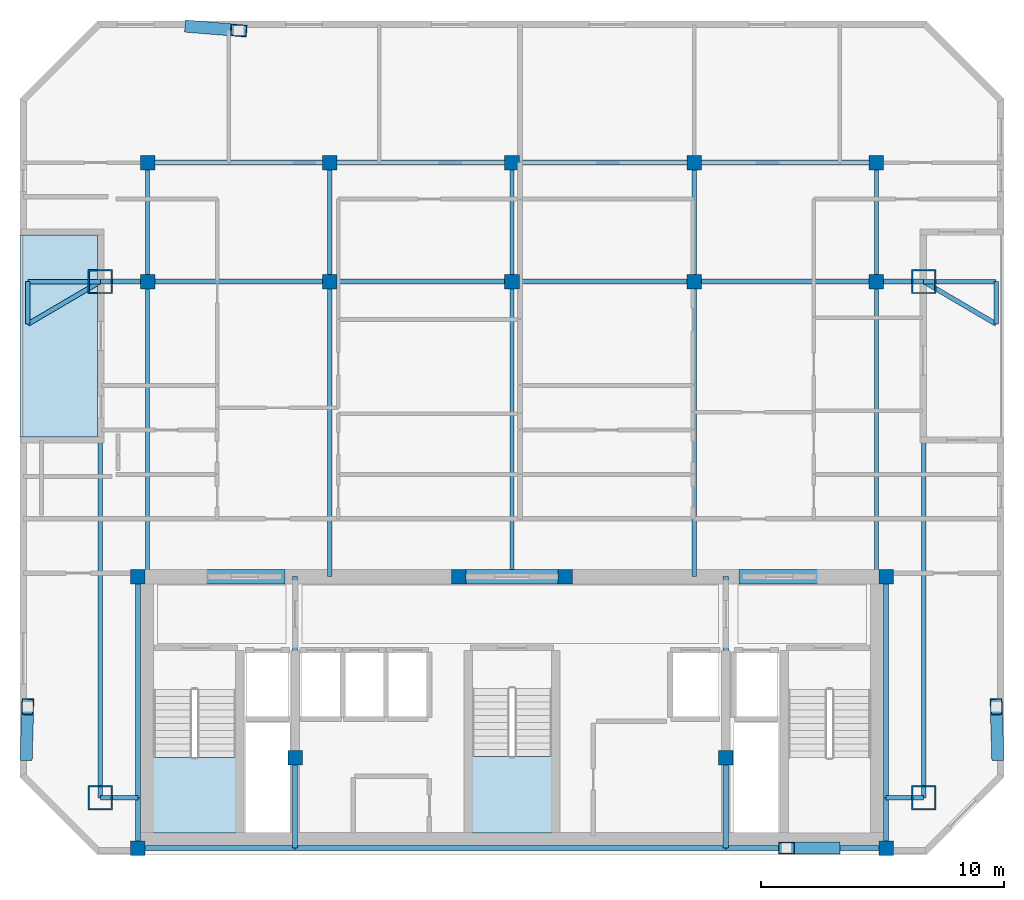
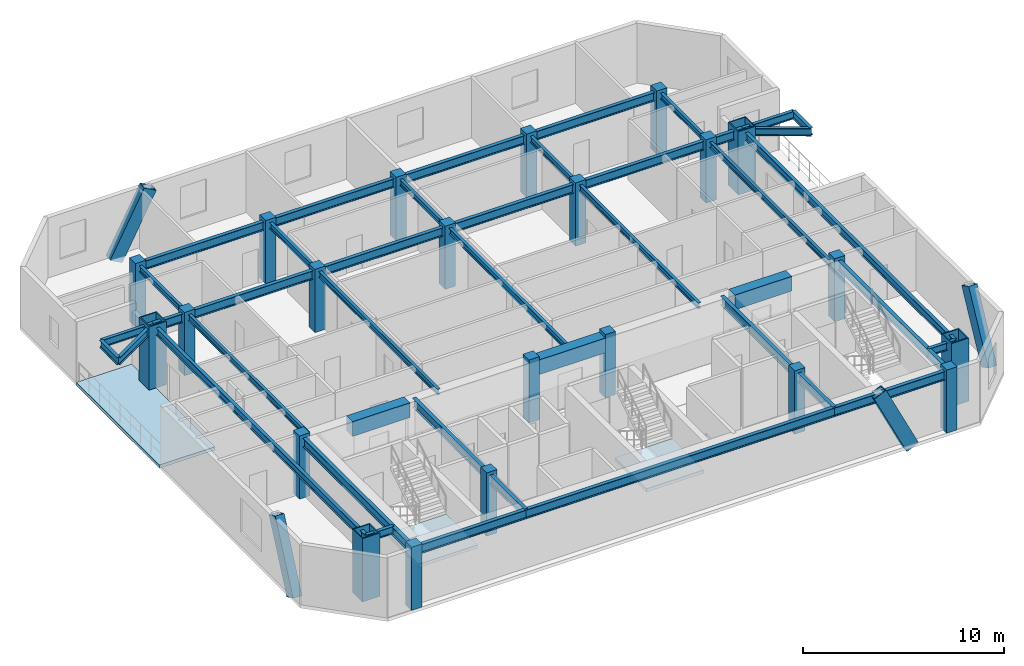
# One storey, part 1 of 7: 44 beams, 22 columns, 4 members, 3 slabs, 2 elements without a shape of their own.
"""IFC4 building model written with IfcOpenShell, lengths in metres."""

from ifc_helpers import new_model, si_unit, direction, frame, origin, origin_2d, place, context, subcontext, project, spatial, polyline, rectangle, hollow_rectangle, i_section, outline, extrude, material, layer, layer_set, material_profile, profile_set, type_object, element, aggregate, save


model = new_model("IFC4")

# Units and contexts
model_context = context("Model", 3, precision=1e-05, world=origin(), true_north=direction((0.0, 1.0)))
body_context = subcontext(model_context, "Body", "Model", "MODEL_VIEW")
ifc_project = project(units=[si_unit("LENGTHUNIT", "METRE"), si_unit("AREAUNIT", "SQUARE_METRE"), si_unit("VOLUMEUNIT", "CUBIC_METRE"), si_unit("PLANEANGLEUNIT", "RADIAN"), si_unit("MASSUNIT", "GRAM", prefix="KILO")], contexts=[model_context])

# Site, building, storey
site_placement = place(None, origin())
site = spatial("IfcSite", under=ifc_project, at=site_placement, CompositionType="ELEMENT")
building_placement = place(site_placement, origin())
building = spatial("IfcBuilding", under=site, at=building_placement, Name="Ventersveld Concourse Tower", CompositionType="ELEMENT")
storey_placement = place(building_placement, frame((0.0, 0.0, 288.75)))
storey = spatial("IfcBuildingStorey", under=building, at=storey_placement, Name="L71", CompositionType="ELEMENT", Elevation=288.75)

# Columns
ifc_material_1 = material(Name="Concrete C50/60", Category="concrete")
ifc_material_profile_1 = material_profile(ifc_material_1, rectangle(XDim=0.60009765625, YDim=0.60009765625, at=origin_2d()), Name="RC 600x600")
ifc_profile_set_1 = profile_set([ifc_material_profile_1], Name="Concrete C50/60")
column_type_1 = type_object("IfcColumnType", Name="COL-RC600", PredefinedType="COLUMN", material=ifc_profile_set_1)
for number, where, z_axis, x_axis, name in (
    (1, (13.35009765625, 0.280029296875, 0.0), (0.0, 0.0, 1.0), (1.0, 0.0, 0.0), "L71 Core Spine Column CC-SW"),
    (2, (44.14990234375, 0.280029296875, 0.0), (0.0, 0.0, 1.0), (1.0, 0.0, 0.0), "L71 Core Spine Column CC-SE"),
    (3, (13.35009765625, 11.449951171875, 0.0), (0.0, 0.0, 1.0), (1.0, 0.0, 0.0), "L71 Core Spine Column CC-NW"),
    (4, (44.14990234375, 11.449951171875, 0.0), (0.0, 0.0, 1.0), (1.0, 0.0, 0.0), "L71 Core Spine Column CC-NE"),
    (5, (19.820068359375, 4.0, 0.0), (0.0, 0.0, 1.0), (1.0, 0.0, 0.0), "L71 Core Spine Column CM-1"),
    (6, (37.550048828125, 4.0, 0.0), (0.0, 0.0, 1.0), (1.0, 0.0, 0.0), "L71 Core Spine Column CM-2"),
    (7, (26.550048828125, 11.449951171875, 0.0), (0.0, 0.0, 1.0), (1.0, 0.0, 0.0), "L71 Core Spine Column CM-3"),
    (8, (30.949951171875, 11.449951171875, 0.0), (0.0, 0.0, 1.0), (1.0, 0.0, 0.0), "L71 Core Spine Column CM-4"),
    (9, (13.75, 23.60009765625, 0.0), (0.0, 0.0, 1.0), (1.0, 0.0, 0.0), "L71 Interior Gravity Column X=13.75 Y=23.60"),
    (10, (21.25, 23.60009765625, 0.0), (0.0, 0.0, 1.0), (1.0, 0.0, 0.0), "L71 Interior Gravity Column X=21.25 Y=23.60"),
    (11, (28.75, 23.60009765625, 0.0), (0.0, 0.0, 1.0), (1.0, 0.0, 0.0), "L71 Interior Gravity Column X=28.75 Y=23.60"),
    (12, (36.25, 23.60009765625, 0.0), (0.0, 0.0, 1.0), (1.0, 0.0, 0.0), "L71 Interior Gravity Column X=36.25 Y=23.60"),
    (13, (43.75, 23.60009765625, 0.0), (0.0, 0.0, 1.0), (1.0, 0.0, 0.0), "L71 Interior Gravity Column X=43.75 Y=23.60"),
    (14, (13.75, 28.5, 0.0), (0.0, 0.0, 1.0), (1.0, 0.0, 0.0), "L71 Upper-North Gravity Column X=13.75 Y=28.50"),
    (15, (21.25, 28.5, 0.0), (0.0, 0.0, 1.0), (1.0, 0.0, 0.0), "L71 Upper-North Gravity Column X=21.25 Y=28.50"),
    (16, (28.75, 28.5, 0.0), (0.0, 0.0, 1.0), (1.0, 0.0, 0.0), "L71 Upper-North Gravity Column X=28.75 Y=28.50"),
    (17, (36.25, 28.5, 0.0), (0.0, 0.0, 1.0), (1.0, 0.0, 0.0), "L71 Upper-North Gravity Column X=36.25 Y=28.50"),
    (18, (43.75, 28.5, 0.0), (0.0, 0.0, 1.0), (1.0, 0.0, 0.0), "L71 Upper-North Gravity Column X=43.75 Y=28.50"),
):
    element("IfcColumn", number, at=place(storey_placement, frame(where, z_axis=z_axis, x_axis=x_axis)), inside=storey, type_object=column_type_1, Name=name, PredefinedType="COLUMN", context=body_context, shape_type="SweptSolid", body=[
        extrude(rectangle(XDim=0.60009765625, YDim=0.60009765625, at=origin_2d()), origin(), (0.0, 0.0, 1.0), 3.85009765625),
    ])
ifc_material_2 = material(Name="Structural steel S460ML", Category="steel")
ifc_material_profile_2 = material_profile(ifc_material_2, hollow_rectangle(XDim=1.0, YDim=1.0, WallThickness=0.06005859375, at=origin_2d()), Name="BOX 1000x1000x60")
ifc_profile_set_2 = profile_set([ifc_material_profile_2], Name="Structural steel S460ML")
column_type_2 = type_object("IfcColumnType", Name="MC-1000", PredefinedType="USERDEFINED", material=ifc_profile_set_2)
for number, where, z_axis, x_axis, name in (
    (19, (11.800048828125, 2.35009765625, 0.0), (0.0, 0.0, 1.0), (1.0, 0.0, 0.0), "L71 Corner Mega-Column MC-SW"),
    (20, (45.699951171875, 2.35009765625, 0.0), (0.0, 0.0, 1.0), (1.0, 0.0, 0.0), "L71 Corner Mega-Column MC-SE"),
    (21, (45.699951171875, 23.60009765625, 0.0), (0.0, 0.0, 1.0), (1.0, 0.0, 0.0), "L71 Corner Mega-Column MC-NE"),
    (22, (11.800048828125, 23.60009765625, 0.0), (0.0, 0.0, 1.0), (1.0, 0.0, 0.0), "L71 Corner Mega-Column MC-NW"),
):
    element("IfcColumn", number, at=place(storey_placement, frame(where, z_axis=z_axis, x_axis=x_axis)), inside=storey, type_object=column_type_2, Name=name, ObjectType="MEGA_COLUMN", PredefinedType="USERDEFINED", context=body_context, shape_type="SweptSolid", body=[
        extrude(hollow_rectangle(XDim=1.0, YDim=1.0, WallThickness=0.06005859375, at=origin_2d()), origin(), (0.0, 0.0, 1.0), 3.85009765625),
    ])

# Beams
ifc_material_3 = material(Name="Structural steel S355J2", Category="steel")
ifc_material_profile_3 = material_profile(ifc_material_3, i_section(OverallWidth=0.17138671875, OverallDepth=0.35498046875, WebThickness=0.00732421875, FlangeThickness=0.011474609375, FilletRadius=0.01025390625, at=origin_2d()), Name="UB 356x171x51")
ifc_profile_set_3 = profile_set([ifc_material_profile_3], Name="Structural steel S355J2")
beam_type_1 = type_object("IfcBeamType", Name="BM-UB356", PredefinedType="BEAM", material=ifc_profile_set_3)
beam_1_placement = place(storey_placement, frame((13.75, 11.449951171875, 3.472412109375), z_axis=(0.0, 1.0, 0.0), x_axis=(-1.0, 0.0, 0.0)))
element("IfcBeam", 23, at=beam_1_placement, inside=storey, type_object=beam_type_1, Name="L71 N-S Composite Floor Beam South X=13.75", PredefinedType="BEAM", context=body_context, shape_type="SweptSolid", body=[
    extrude(i_section(OverallWidth=0.17138671875, OverallDepth=0.35498046875, WebThickness=0.00732421875, FlangeThickness=0.011474609375, FilletRadius=0.01025390625, at=origin_2d()), origin(), (0.0, 0.0, 1.0), 12.150146484375),
])
beam_2_placement = place(storey_placement, frame((13.75, 23.60009765625, 3.472412109375), z_axis=(0.0, 1.0, 0.0), x_axis=(-1.0, 0.0, 0.0)))
element("IfcBeam", 24, at=beam_2_placement, inside=storey, type_object=beam_type_1, Name="L71 N-S Upper-Zone Floor Beam X=13.75", PredefinedType="BEAM", context=body_context, shape_type="SweptSolid", body=[
    extrude(i_section(OverallWidth=0.17138671875, OverallDepth=0.35498046875, WebThickness=0.00732421875, FlangeThickness=0.011474609375, FilletRadius=0.01025390625, at=origin_2d()), origin(), (0.0, 0.0, 1.0), 4.89990234375),
])
beam_3_placement = place(storey_placement, frame((21.25, 11.449951171875, 3.472412109375), z_axis=(0.0, 1.0, 0.0), x_axis=(-1.0, 0.0, 0.0)))
element("IfcBeam", 25, at=beam_3_placement, inside=storey, type_object=beam_type_1, Name="L71 N-S Composite Floor Beam South X=21.25", PredefinedType="BEAM", context=body_context, shape_type="SweptSolid", body=[
    extrude(i_section(OverallWidth=0.17138671875, OverallDepth=0.35498046875, WebThickness=0.00732421875, FlangeThickness=0.011474609375, FilletRadius=0.01025390625, at=origin_2d()), origin(), (0.0, 0.0, 1.0), 12.150146484375),
])
beam_4_placement = place(storey_placement, frame((21.25, 23.60009765625, 3.472412109375), z_axis=(0.0, 1.0, 0.0), x_axis=(-1.0, 0.0, 0.0)))
element("IfcBeam", 26, at=beam_4_placement, inside=storey, type_object=beam_type_1, Name="L71 N-S Upper-Zone Floor Beam X=21.25", PredefinedType="BEAM", context=body_context, shape_type="SweptSolid", body=[
    extrude(i_section(OverallWidth=0.17138671875, OverallDepth=0.35498046875, WebThickness=0.00732421875, FlangeThickness=0.011474609375, FilletRadius=0.01025390625, at=origin_2d()), origin(), (0.0, 0.0, 1.0), 4.89990234375),
])
beam_5_placement = place(storey_placement, frame((28.75, 11.449951171875, 3.472412109375), z_axis=(0.0, 1.0, 0.0), x_axis=(-1.0, 0.0, 0.0)))
element("IfcBeam", 27, at=beam_5_placement, inside=storey, type_object=beam_type_1, Name="L71 N-S Composite Floor Beam South X=28.75", PredefinedType="BEAM", context=body_context, shape_type="SweptSolid", body=[
    extrude(i_section(OverallWidth=0.17138671875, OverallDepth=0.35498046875, WebThickness=0.00732421875, FlangeThickness=0.011474609375, FilletRadius=0.01025390625, at=origin_2d()), origin(), (0.0, 0.0, 1.0), 12.150146484375),
])
beam_6_placement = place(storey_placement, frame((28.75, 23.60009765625, 3.472412109375), z_axis=(0.0, 1.0, 0.0), x_axis=(-1.0, 0.0, 0.0)))
element("IfcBeam", 28, at=beam_6_placement, inside=storey, type_object=beam_type_1, Name="L71 N-S Upper-Zone Floor Beam X=28.75", PredefinedType="BEAM", context=body_context, shape_type="SweptSolid", body=[
    extrude(i_section(OverallWidth=0.17138671875, OverallDepth=0.35498046875, WebThickness=0.00732421875, FlangeThickness=0.011474609375, FilletRadius=0.01025390625, at=origin_2d()), origin(), (0.0, 0.0, 1.0), 4.89990234375),
])
beam_7_placement = place(storey_placement, frame((36.25, 11.449951171875, 3.472412109375), z_axis=(0.0, 1.0, 0.0), x_axis=(-1.0, 0.0, 0.0)))
element("IfcBeam", 29, at=beam_7_placement, inside=storey, type_object=beam_type_1, Name="L71 N-S Composite Floor Beam South X=36.25", PredefinedType="BEAM", context=body_context, shape_type="SweptSolid", body=[
    extrude(i_section(OverallWidth=0.17138671875, OverallDepth=0.35498046875, WebThickness=0.00732421875, FlangeThickness=0.011474609375, FilletRadius=0.01025390625, at=origin_2d()), origin(), (0.0, 0.0, 1.0), 12.150146484375),
])
beam_8_placement = place(storey_placement, frame((36.25, 23.60009765625, 3.472412109375), z_axis=(0.0, 1.0, 0.0), x_axis=(-1.0, 0.0, 0.0)))
element("IfcBeam", 30, at=beam_8_placement, inside=storey, type_object=beam_type_1, Name="L71 N-S Upper-Zone Floor Beam X=36.25", PredefinedType="BEAM", context=body_context, shape_type="SweptSolid", body=[
    extrude(i_section(OverallWidth=0.17138671875, OverallDepth=0.35498046875, WebThickness=0.00732421875, FlangeThickness=0.011474609375, FilletRadius=0.01025390625, at=origin_2d()), origin(), (0.0, 0.0, 1.0), 4.89990234375),
])
beam_9_placement = place(storey_placement, frame((43.75, 11.449951171875, 3.472412109375), z_axis=(0.0, 1.0, 0.0), x_axis=(-1.0, 0.0, 0.0)))
element("IfcBeam", 31, at=beam_9_placement, inside=storey, type_object=beam_type_1, Name="L71 N-S Composite Floor Beam South X=43.75", PredefinedType="BEAM", context=body_context, shape_type="SweptSolid", body=[
    extrude(i_section(OverallWidth=0.17138671875, OverallDepth=0.35498046875, WebThickness=0.00732421875, FlangeThickness=0.011474609375, FilletRadius=0.01025390625, at=origin_2d()), origin(), (0.0, 0.0, 1.0), 12.150146484375),
])
beam_10_placement = place(storey_placement, frame((43.75, 23.60009765625, 3.472412109375), z_axis=(0.0, 1.0, 0.0), x_axis=(-1.0, 0.0, 0.0)))
element("IfcBeam", 32, at=beam_10_placement, inside=storey, type_object=beam_type_1, Name="L71 N-S Upper-Zone Floor Beam X=43.75", PredefinedType="BEAM", context=body_context, shape_type="SweptSolid", body=[
    extrude(i_section(OverallWidth=0.17138671875, OverallDepth=0.35498046875, WebThickness=0.00732421875, FlangeThickness=0.011474609375, FilletRadius=0.01025390625, at=origin_2d()), origin(), (0.0, 0.0, 1.0), 4.89990234375),
])
ifc_material_profile_4 = material_profile(ifc_material_1, rectangle(XDim=0.60009765625, YDim=0.89990234375, at=origin_2d()), Name="RC 600x900")
ifc_profile_set_4 = profile_set([ifc_material_profile_4], Name="Concrete C50/60")
beam_type_2 = type_object("IfcBeamType", Name="CB-RC600x900U", PredefinedType="LINTEL", material=ifc_profile_set_4)
beam_11_placement = place(storey_placement, frame((16.10009765625, 11.449951171875, 3.199951171875), z_axis=(1.0, 0.0, 0.0), x_axis=(0.0, 1.0, 0.0)))
element("IfcBeam", 33, at=beam_11_placement, inside=storey, type_object=beam_type_2, Name="L71 Core Coupling Lintel Beam 1", PredefinedType="LINTEL", context=body_context, shape_type="SweptSolid", body=[
    extrude(rectangle(XDim=0.60009765625, YDim=0.89990234375, at=origin_2d()), origin(), (0.0, 0.0, 1.0), 3.2998046875),
])
beam_12_placement = place(storey_placement, frame((26.5, 11.449951171875, 3.199951171875), z_axis=(1.0, 0.0, 0.0), x_axis=(0.0, 1.0, 0.0)))
element("IfcBeam", 34, at=beam_12_placement, inside=storey, type_object=beam_type_2, Name="L71 Core Coupling Lintel Beam 2", PredefinedType="LINTEL", context=body_context, shape_type="SweptSolid", body=[
    extrude(rectangle(XDim=0.60009765625, YDim=0.89990234375, at=origin_2d()), origin(), (0.0, 0.0, 1.0), 4.5),
])
beam_13_placement = place(storey_placement, frame((38.10009765625, 11.449951171875, 3.199951171875), z_axis=(1.0, 0.0, 0.0), x_axis=(0.0, 1.0, 0.0)))
element("IfcBeam", 35, at=beam_13_placement, inside=storey, type_object=beam_type_2, Name="L71 Core Coupling Lintel Beam 3", PredefinedType="LINTEL", context=body_context, shape_type="SweptSolid", body=[
    extrude(rectangle(XDim=0.60009765625, YDim=0.89990234375, at=origin_2d()), origin(), (0.0, 0.0, 1.0), 3.2998046875),
])
ifc_material_profile_5 = material_profile(ifc_material_3, i_section(OverallWidth=0.209228515625, OverallDepth=0.533203125, WebThickness=0.010009765625, FlangeThickness=0.015625, FilletRadius=0.0126953125, at=origin_2d()), Name="UB 533x210x92")
ifc_profile_set_5 = profile_set([ifc_material_profile_5], Name="Structural steel S355J2")
beam_type_3 = type_object("IfcBeamType", Name="GRD-UB533", PredefinedType="T_BEAM", material=ifc_profile_set_5)
beam_14_placement = place(storey_placement, frame((11.800048828125, 23.60009765625, 3.38330078125), z_axis=(1.0, 0.0, 0.0), x_axis=(0.0, 1.0, 0.0)))
element("IfcBeam", 36, at=beam_14_placement, inside=storey, type_object=beam_type_3, Name="L71 Primary E-W Grid Girder Y=23.60 #1", PredefinedType="T_BEAM", context=body_context, shape_type="SweptSolid", body=[
    extrude(i_section(OverallWidth=0.209228515625, OverallDepth=0.533203125, WebThickness=0.010009765625, FlangeThickness=0.015625, FilletRadius=0.0126953125, at=origin_2d()), origin(), (0.0, 0.0, 1.0), 1.949951171875),
])
for number, where, z_axis, x_axis, name in (
    (37, (13.75, 23.60009765625, 3.38330078125), (1.0, 0.0, 0.0), (0.0, 1.0, 0.0), "L71 Primary E-W Grid Girder Y=23.60 #2"),
    (38, (21.25, 23.60009765625, 3.38330078125), (1.0, 0.0, 0.0), (0.0, 1.0, 0.0), "L71 Primary E-W Grid Girder Y=23.60 #3"),
    (39, (28.75, 23.60009765625, 3.38330078125), (1.0, 0.0, 0.0), (0.0, 1.0, 0.0), "L71 Primary E-W Grid Girder Y=23.60 #4"),
    (40, (36.25, 23.60009765625, 3.38330078125), (1.0, 0.0, 0.0), (0.0, 1.0, 0.0), "L71 Primary E-W Grid Girder Y=23.60 #5"),
):
    element("IfcBeam", number, at=place(storey_placement, frame(where, z_axis=z_axis, x_axis=x_axis)), inside=storey, type_object=beam_type_3, Name=name, PredefinedType="T_BEAM", context=body_context, shape_type="SweptSolid", body=[
        extrude(i_section(OverallWidth=0.209228515625, OverallDepth=0.533203125, WebThickness=0.010009765625, FlangeThickness=0.015625, FilletRadius=0.0126953125, at=origin_2d()), origin(), (0.0, 0.0, 1.0), 7.5),
    ])
beam_15_placement = place(storey_placement, frame((43.75, 23.60009765625, 3.38330078125), z_axis=(1.0, 0.0, 0.0), x_axis=(0.0, 1.0, 0.0)))
element("IfcBeam", 41, at=beam_15_placement, inside=storey, type_object=beam_type_3, Name="L71 Primary E-W Grid Girder Y=23.60 #6", PredefinedType="T_BEAM", context=body_context, shape_type="SweptSolid", body=[
    extrude(i_section(OverallWidth=0.209228515625, OverallDepth=0.533203125, WebThickness=0.010009765625, FlangeThickness=0.015625, FilletRadius=0.0126953125, at=origin_2d()), origin(), (0.0, 0.0, 1.0), 1.949951171875),
])
for number, where, z_axis, x_axis, name in (
    (42, (13.75, 28.5, 3.38330078125), (1.0, 0.0, 0.0), (0.0, 1.0, 0.0), "L71 Upper-North E-W Girder Y=28.50 #1"),
    (43, (21.25, 28.5, 3.38330078125), (1.0, 0.0, 0.0), (0.0, 1.0, 0.0), "L71 Upper-North E-W Girder Y=28.50 #2"),
    (44, (28.75, 28.5, 3.38330078125), (1.0, 0.0, 0.0), (0.0, 1.0, 0.0), "L71 Upper-North E-W Girder Y=28.50 #3"),
    (45, (36.25, 28.5, 3.38330078125), (1.0, 0.0, 0.0), (0.0, 1.0, 0.0), "L71 Upper-North E-W Girder Y=28.50 #4"),
):
    element("IfcBeam", number, at=place(storey_placement, frame(where, z_axis=z_axis, x_axis=x_axis)), inside=storey, type_object=beam_type_3, Name=name, PredefinedType="T_BEAM", context=body_context, shape_type="SweptSolid", body=[
        extrude(i_section(OverallWidth=0.209228515625, OverallDepth=0.533203125, WebThickness=0.010009765625, FlangeThickness=0.015625, FilletRadius=0.0126953125, at=origin_2d()), origin(), (0.0, 0.0, 1.0), 7.5),
    ])
ifc_material_profile_6 = material_profile(ifc_material_3, i_section(OverallWidth=0.2119140625, OverallDepth=0.54443359375, WebThickness=0.0126953125, FlangeThickness=0.021240234375, FilletRadius=0.0126953125, at=origin_2d()), Name="UB 533x210x122")
ifc_profile_set_6 = profile_set([ifc_material_profile_6], Name="Structural steel S355J2")
beam_type_4 = type_object("IfcBeamType", Name="GRD-UB533H", PredefinedType="T_BEAM", material=ifc_profile_set_6)
beam_16_placement = place(storey_placement, frame((13.35009765625, 0.280029296875, 3.377685546875), z_axis=(0.0, 1.0, 0.0), x_axis=(-1.0, 0.0, 0.0)))
element("IfcBeam", 46, at=beam_16_placement, inside=storey, type_object=beam_type_4, Name="L71 Core West Tie Beam S", PredefinedType="T_BEAM", context=body_context, shape_type="SweptSolid", body=[
    extrude(i_section(OverallWidth=0.2119140625, OverallDepth=0.54443359375, WebThickness=0.0126953125, FlangeThickness=0.021240234375, FilletRadius=0.0126953125, at=origin_2d()), origin(), (0.0, 0.0, 1.0), 2.070068359375),
])
beam_17_placement = place(storey_placement, frame((13.35009765625, 2.35009765625, 3.377685546875), z_axis=(0.0, 1.0, 0.0), x_axis=(-1.0, 0.0, 0.0)))
element("IfcBeam", 47, at=beam_17_placement, inside=storey, type_object=beam_type_4, Name="L71 Core West Tie Beam N", PredefinedType="T_BEAM", context=body_context, shape_type="SweptSolid", body=[
    extrude(i_section(OverallWidth=0.2119140625, OverallDepth=0.54443359375, WebThickness=0.0126953125, FlangeThickness=0.021240234375, FilletRadius=0.0126953125, at=origin_2d()), origin(), (0.0, 0.0, 1.0), 9.099853515625),
])
beam_18_placement = place(storey_placement, frame((44.14990234375, 0.280029296875, 3.377685546875), z_axis=(0.0, 1.0, 0.0), x_axis=(-1.0, 0.0, 0.0)))
element("IfcBeam", 48, at=beam_18_placement, inside=storey, type_object=beam_type_4, Name="L71 Core East Tie Beam S", PredefinedType="T_BEAM", context=body_context, shape_type="SweptSolid", body=[
    extrude(i_section(OverallWidth=0.2119140625, OverallDepth=0.54443359375, WebThickness=0.0126953125, FlangeThickness=0.021240234375, FilletRadius=0.0126953125, at=origin_2d()), origin(), (0.0, 0.0, 1.0), 2.070068359375),
])
beam_19_placement = place(storey_placement, frame((44.14990234375, 2.35009765625, 3.377685546875), z_axis=(0.0, 1.0, 0.0), x_axis=(-1.0, 0.0, 0.0)))
element("IfcBeam", 49, at=beam_19_placement, inside=storey, type_object=beam_type_4, Name="L71 Core East Tie Beam N", PredefinedType="T_BEAM", context=body_context, shape_type="SweptSolid", body=[
    extrude(i_section(OverallWidth=0.2119140625, OverallDepth=0.54443359375, WebThickness=0.0126953125, FlangeThickness=0.021240234375, FilletRadius=0.0126953125, at=origin_2d()), origin(), (0.0, 0.0, 1.0), 9.099853515625),
])
beam_20_placement = place(storey_placement, frame((13.35009765625, 0.280029296875, 3.377685546875), z_axis=(1.0, 0.0, 0.0), x_axis=(0.0, 1.0, 0.0)))
element("IfcBeam", 50, at=beam_20_placement, inside=storey, type_object=beam_type_4, Name="L71 Core South Tie Beam W", PredefinedType="T_BEAM", context=body_context, shape_type="SweptSolid", body=[
    extrude(i_section(OverallWidth=0.2119140625, OverallDepth=0.54443359375, WebThickness=0.0126953125, FlangeThickness=0.021240234375, FilletRadius=0.0126953125, at=origin_2d()), origin(), (0.0, 0.0, 1.0), 6.469970703125),
])
beam_21_placement = place(storey_placement, frame((19.820068359375, 0.280029296875, 3.377685546875), z_axis=(1.0, 0.0, 0.0), x_axis=(0.0, 1.0, 0.0)))
element("IfcBeam", 51, at=beam_21_placement, inside=storey, type_object=beam_type_4, Name="L71 Core South Tie Beam C", PredefinedType="T_BEAM", context=body_context, shape_type="SweptSolid", body=[
    extrude(i_section(OverallWidth=0.2119140625, OverallDepth=0.54443359375, WebThickness=0.0126953125, FlangeThickness=0.021240234375, FilletRadius=0.0126953125, at=origin_2d()), origin(), (0.0, 0.0, 1.0), 17.72998046875),
])
beam_22_placement = place(storey_placement, frame((37.550048828125, 0.280029296875, 3.377685546875), z_axis=(1.0, 0.0, 0.0), x_axis=(0.0, 1.0, 0.0)))
element("IfcBeam", 52, at=beam_22_placement, inside=storey, type_object=beam_type_4, Name="L71 Core South Tie Beam E", PredefinedType="T_BEAM", context=body_context, shape_type="SweptSolid", body=[
    extrude(i_section(OverallWidth=0.2119140625, OverallDepth=0.54443359375, WebThickness=0.0126953125, FlangeThickness=0.021240234375, FilletRadius=0.0126953125, at=origin_2d()), origin(), (0.0, 0.0, 1.0), 6.599853515625),
])
beam_23_placement = place(storey_placement, frame((19.820068359375, 0.280029296875, 3.377685546875), z_axis=(0.0, 1.0, 0.0), x_axis=(-1.0, 0.0, 0.0)))
element("IfcBeam", 53, at=beam_23_placement, inside=storey, type_object=beam_type_4, Name="L71 Core Spine N-S Tie Beam W1", PredefinedType="T_BEAM", context=body_context, shape_type="SweptSolid", body=[
    extrude(i_section(OverallWidth=0.2119140625, OverallDepth=0.54443359375, WebThickness=0.0126953125, FlangeThickness=0.021240234375, FilletRadius=0.0126953125, at=origin_2d()), origin(), (0.0, 0.0, 1.0), 3.719970703125),
])
beam_24_placement = place(storey_placement, frame((19.820068359375, 4.0, 3.377685546875), z_axis=(0.0, 1.0, 0.0), x_axis=(-1.0, 0.0, 0.0)))
element("IfcBeam", 54, at=beam_24_placement, inside=storey, type_object=beam_type_4, Name="L71 Core Spine N-S Tie Beam W2", PredefinedType="T_BEAM", context=body_context, shape_type="SweptSolid", body=[
    extrude(i_section(OverallWidth=0.2119140625, OverallDepth=0.54443359375, WebThickness=0.0126953125, FlangeThickness=0.021240234375, FilletRadius=0.0126953125, at=origin_2d()), origin(), (0.0, 0.0, 1.0), 7.449951171875),
])
beam_25_placement = place(storey_placement, frame((37.550048828125, 0.280029296875, 3.377685546875), z_axis=(0.0, 1.0, 0.0), x_axis=(-1.0, 0.0, 0.0)))
element("IfcBeam", 55, at=beam_25_placement, inside=storey, type_object=beam_type_4, Name="L71 Core Spine N-S Tie Beam E1", PredefinedType="T_BEAM", context=body_context, shape_type="SweptSolid", body=[
    extrude(i_section(OverallWidth=0.2119140625, OverallDepth=0.54443359375, WebThickness=0.0126953125, FlangeThickness=0.021240234375, FilletRadius=0.0126953125, at=origin_2d()), origin(), (0.0, 0.0, 1.0), 3.719970703125),
])
beam_26_placement = place(storey_placement, frame((37.550048828125, 4.0, 3.377685546875), z_axis=(0.0, 1.0, 0.0), x_axis=(-1.0, 0.0, 0.0)))
element("IfcBeam", 56, at=beam_26_placement, inside=storey, type_object=beam_type_4, Name="L71 Core Spine N-S Tie Beam E2", PredefinedType="T_BEAM", context=body_context, shape_type="SweptSolid", body=[
    extrude(i_section(OverallWidth=0.2119140625, OverallDepth=0.54443359375, WebThickness=0.0126953125, FlangeThickness=0.021240234375, FilletRadius=0.0126953125, at=origin_2d()), origin(), (0.0, 0.0, 1.0), 7.449951171875),
])

# Members
ifc_material_4 = material(Name="Structural steel S355ML", Category="steel")
ifc_material_profile_7 = material_profile(ifc_material_4, hollow_rectangle(XDim=0.5, YDim=0.75, WallThickness=0.034912109375, at=origin_2d()), Name="BOX 750x500x35")
ifc_profile_set_7 = profile_set([ifc_material_profile_7], Name="Structural steel S355ML")
member_type = type_object("IfcMemberType", Name="MB-750x500", PredefinedType="BRACE", material=ifc_profile_set_7)
member_1_placement = place(storey_placement, frame((15.625, 34.0927734375, -0.199951171875), z_axis=(0.437577938052, -0.036009017819, 0.898459180356), x_axis=(0.082014437678, 0.996631141402, 0.0)))
element("IfcMember", 57, at=member_1_placement, inside=storey, type_object=member_type, Name="L71 Exterior Mega-Brace N (Module M17)", PredefinedType="BRACE", context=body_context, shape_type="SweptSolid", body=[
    extrude(hollow_rectangle(XDim=0.5, YDim=0.75, WallThickness=0.034912109375, at=origin_2d()), origin(), (0.0, 0.0, 1.0), 4.284912109375),
])
member_2_placement = place(storey_placement, frame((41.925048828125, 0.280029296875, -0.199951171875), z_axis=(-0.437861906815, 0.0, 0.899042240699), x_axis=(0.0, -1.0, 0.0)))
element("IfcMember", 58, at=member_2_placement, inside=storey, type_object=member_type, Name="L71 Exterior Mega-Brace S (Module M17)", PredefinedType="BRACE", context=body_context, shape_type="SweptSolid", body=[
    extrude(hollow_rectangle(XDim=0.5, YDim=0.75, WallThickness=0.034912109375, at=origin_2d()), origin(), (0.0, 0.0, 1.0), 4.2822265625),
])
for number, where, z_axis, x_axis, name in (
    (59, (8.757568359375, 4.22509765625, -0.199951171875), (0.012427932787, 0.437828090854, 0.898972807901), (-0.999597377348, 0.028373988055, 0.0), "L71 Exterior Mega-Brace W (Module M17)"),
    (60, (48.742431640625, 4.22509765625, -0.199951171875), (-0.012427932787, 0.437828090854, 0.898972807901), (-0.999597377348, -0.028373988055, 0.0), "L71 Exterior Mega-Brace E (Module M17)"),
):
    element("IfcMember", number, at=place(storey_placement, frame(where, z_axis=z_axis, x_axis=x_axis)), inside=storey, type_object=member_type, Name=name, PredefinedType="BRACE", context=body_context, shape_type="SweptSolid", body=[
        extrude(hollow_rectangle(XDim=0.5, YDim=0.75, WallThickness=0.034912109375, at=origin_2d()), origin(), (0.0, 0.0, 1.0), 4.282470703125),
    ])

# Beams
ifc_material_profile_8 = material_profile(ifc_material_3, i_section(OverallWidth=0.19140625, OverallDepth=0.4599609375, WebThickness=0.010009765625, FlangeThickness=0.01611328125, FilletRadius=0.01025390625, at=origin_2d()), Name="UB 457x191x82")
ifc_profile_set_8 = profile_set([ifc_material_profile_8], Name="Structural steel S355J2")
beam_type_5 = type_object("IfcBeamType", Name="SPD-UB457", PredefinedType="SPANDREL", material=ifc_profile_set_8)
for number, where, z_axis, x_axis, name in (
    (61, (11.800048828125, 2.35009765625, 3.419921875), (1.0, 0.0, 0.0), (0.0, 1.0, 0.0), "L71 SW Spandrel Beam"),
    (62, (44.14990234375, 2.35009765625, 3.419921875), (1.0, 0.0, 0.0), (0.0, 1.0, 0.0), "L71 SE Spandrel Beam"),
):
    element("IfcBeam", number, at=place(storey_placement, frame(where, z_axis=z_axis, x_axis=x_axis)), inside=storey, type_object=beam_type_5, Name=name, PredefinedType="SPANDREL", context=body_context, shape_type="SweptSolid", body=[
        extrude(i_section(OverallWidth=0.19140625, OverallDepth=0.4599609375, WebThickness=0.010009765625, FlangeThickness=0.01611328125, FilletRadius=0.01025390625, at=origin_2d()), origin(), (0.0, 0.0, 1.0), 1.550048828125),
    ])
for number, where, z_axis, x_axis, name in (
    (63, (11.800048828125, 2.35009765625, 3.419921875), (0.0, 1.0, 0.0), (-1.0, 0.0, 0.0), "L71 West Spandrel Beam"),
    (64, (45.699951171875, 2.35009765625, 3.419921875), (0.0, 1.0, 0.0), (-1.0, 0.0, 0.0), "L71 East Spandrel Beam"),
):
    element("IfcBeam", number, at=place(storey_placement, frame(where, z_axis=z_axis, x_axis=x_axis)), inside=storey, type_object=beam_type_5, Name=name, PredefinedType="SPANDREL", context=body_context, shape_type="SweptSolid", body=[
        extrude(i_section(OverallWidth=0.19140625, OverallDepth=0.4599609375, WebThickness=0.010009765625, FlangeThickness=0.01611328125, FilletRadius=0.01025390625, at=origin_2d()), origin(), (0.0, 0.0, 1.0), 21.25),
    ])
beam_27_placement = place(storey_placement, frame((8.81640625, 23.60009765625, 3.419921875), z_axis=(1.0, 0.0, 0.0), x_axis=(0.0, 1.0, 0.0)))
element("IfcBeam", 65, at=beam_27_placement, inside=storey, type_object=beam_type_5, Name="L71 West Valley Bracket S", PredefinedType="SPANDREL", context=body_context, shape_type="SweptSolid", body=[
    extrude(i_section(OverallWidth=0.19140625, OverallDepth=0.4599609375, WebThickness=0.010009765625, FlangeThickness=0.01611328125, FilletRadius=0.01025390625, at=origin_2d()), origin(), (0.0, 0.0, 1.0), 2.983642578125),
])
beam_28_placement = place(storey_placement, frame((8.81640625, 21.85009765625, 3.419921875), z_axis=(0.862575832803, 0.505927793923, 0.0), x_axis=(-0.505927793923, 0.862575832803, 0.0)))
element("IfcBeam", 66, at=beam_28_placement, inside=storey, type_object=beam_type_5, Name="L71 West Valley Diagonal Bracket", PredefinedType="SPANDREL", context=body_context, shape_type="SweptSolid", body=[
    extrude(i_section(OverallWidth=0.19140625, OverallDepth=0.4599609375, WebThickness=0.010009765625, FlangeThickness=0.01611328125, FilletRadius=0.01025390625, at=origin_2d()), origin(), (0.0, 0.0, 1.0), 3.458984375),
])
beam_29_placement = place(storey_placement, frame((8.81640625, 21.85009765625, 3.419921875), z_axis=(0.0, 1.0, 0.0), x_axis=(-1.0, 0.0, 0.0)))
element("IfcBeam", 67, at=beam_29_placement, inside=storey, type_object=beam_type_5, Name="L71 West Valley Edge Beam", PredefinedType="SPANDREL", context=body_context, shape_type="SweptSolid", body=[
    extrude(i_section(OverallWidth=0.19140625, OverallDepth=0.4599609375, WebThickness=0.010009765625, FlangeThickness=0.01611328125, FilletRadius=0.01025390625, at=origin_2d()), origin(), (0.0, 0.0, 1.0), 1.75),
])
beam_30_placement = place(storey_placement, frame((45.699951171875, 23.60009765625, 3.419921875), z_axis=(1.0, 0.0, 0.0), x_axis=(0.0, 1.0, 0.0)))
element("IfcBeam", 68, at=beam_30_placement, inside=storey, type_object=beam_type_5, Name="L71 East Valley Bracket S", PredefinedType="SPANDREL", context=body_context, shape_type="SweptSolid", body=[
    extrude(i_section(OverallWidth=0.19140625, OverallDepth=0.4599609375, WebThickness=0.010009765625, FlangeThickness=0.01611328125, FilletRadius=0.01025390625, at=origin_2d()), origin(), (0.0, 0.0, 1.0), 2.983642578125),
])
beam_31_placement = place(storey_placement, frame((45.699951171875, 23.60009765625, 3.419921875), z_axis=(0.862575832803, -0.505927793923, 0.0), x_axis=(0.505927793923, 0.862575832803, 0.0)))
element("IfcBeam", 69, at=beam_31_placement, inside=storey, type_object=beam_type_5, Name="L71 East Valley Diagonal Bracket", PredefinedType="SPANDREL", context=body_context, shape_type="SweptSolid", body=[
    extrude(i_section(OverallWidth=0.19140625, OverallDepth=0.4599609375, WebThickness=0.010009765625, FlangeThickness=0.01611328125, FilletRadius=0.01025390625, at=origin_2d()), origin(), (0.0, 0.0, 1.0), 3.458984375),
])
beam_32_placement = place(storey_placement, frame((48.68359375, 21.85009765625, 3.419921875), z_axis=(0.0, 1.0, 0.0), x_axis=(-1.0, 0.0, 0.0)))
element("IfcBeam", 70, at=beam_32_placement, inside=storey, type_object=beam_type_5, Name="L71 East Valley Edge Beam", PredefinedType="SPANDREL", context=body_context, shape_type="SweptSolid", body=[
    extrude(i_section(OverallWidth=0.19140625, OverallDepth=0.4599609375, WebThickness=0.010009765625, FlangeThickness=0.01611328125, FilletRadius=0.01025390625, at=origin_2d()), origin(), (0.0, 0.0, 1.0), 1.75),
])

# Slab
ifc_layer_1 = layer(ifc_material_1, 0.199951171875)
ifc_layer_set_1 = layer_set([ifc_layer_1], Name="Concrete C50/60")
slab_type_1 = type_object("IfcSlabType", Name="SL-FLR-200", PredefinedType="FLOOR", material=ifc_layer_set_1)
slab_1_placement = place(storey_placement, frame((0.0, 0.0, -0.199951171875)))
element("IfcSlab", 71, at=slab_1_placement, inside=storey, type_object=slab_type_1, Name="L71 Outdoor Terrace Slab NOTCH-W", PredefinedType="FLOOR", context=body_context, shape_type="SweptSolid", body=[
    extrude(outline(polyline([(8.495361328125, 17.210693359375), (11.6953125, 17.210693359375), (11.6953125, 25.510498046875), (8.495361328125, 25.510498046875), (8.495361328125, 17.210693359375)])), origin(), (0.0, 0.0, 1.0), 0.199951171875),
])

# Stair, slab
stair_type_1 = type_object("IfcStairType", Name="ST-DOG-160", PredefinedType="HALF_TURN_STAIR", material=ifc_material_1)
stair_1_placement = place(storey_placement, origin())
stair_1 = element("IfcStair", 72, at=stair_1_placement, inside=storey, type_object=stair_type_1, Name="L71 Protected Tower Escape Stair ST-01", PredefinedType="HALF_TURN_STAIR")
ifc_layer_2 = layer(ifc_material_1, 0.199951171875)
ifc_layer_set_2 = layer_set([ifc_layer_2], Name="Concrete C50/60")
slab_type_2 = type_object("IfcSlabType", Name="SL-LND-200", PredefinedType="LANDING", material=ifc_layer_set_2)
slab_2_placement = place(storey_placement, frame((0.0, 0.0, 1.72509765625)))
slab_2 = element("IfcSlab", 73, at=slab_2_placement, type_object=slab_type_2, Name="ST-01 landing 1", PredefinedType="LANDING", context=body_context, shape_type="SweptSolid", body=[
    extrude(outline(polyline([(13.97998046875, 4.0), (13.97998046875, 0.89990234375), (17.3798828125, 0.89990234375), (17.3798828125, 4.0), (13.97998046875, 4.0)])), origin(), (0.0, 0.0, 1.0), 0.199951171875),
])
aggregate(stair_1, [slab_2])

stair_type_2 = type_object("IfcStairType", Name="ST-DOG-155", PredefinedType="HALF_TURN_STAIR", material=ifc_material_1)
stair_2_placement = place(storey_placement, origin())
stair_2 = element("IfcStair", 74, at=stair_2_placement, inside=storey, type_object=stair_type_2, Name="L71 Protected Central Core Escape Stair ST-03", PredefinedType="HALF_TURN_STAIR")
slab_3_placement = place(storey_placement, frame((0.0, 0.0, 1.72509765625)))
slab_3 = element("IfcSlab", 75, at=slab_3_placement, type_object=slab_type_2, Name="ST-03 landing 1", PredefinedType="LANDING", context=body_context, shape_type="SweptSolid", body=[
    extrude(outline(polyline([(27.10009765625, 4.050048828125), (27.10009765625, 0.89990234375), (30.39990234375, 0.89990234375), (30.39990234375, 4.050048828125), (27.10009765625, 4.050048828125)])), origin(), (0.0, 0.0, 1.0), 0.199951171875),
])
aggregate(stair_2, [slab_3])

save(model, "model.ifc")
